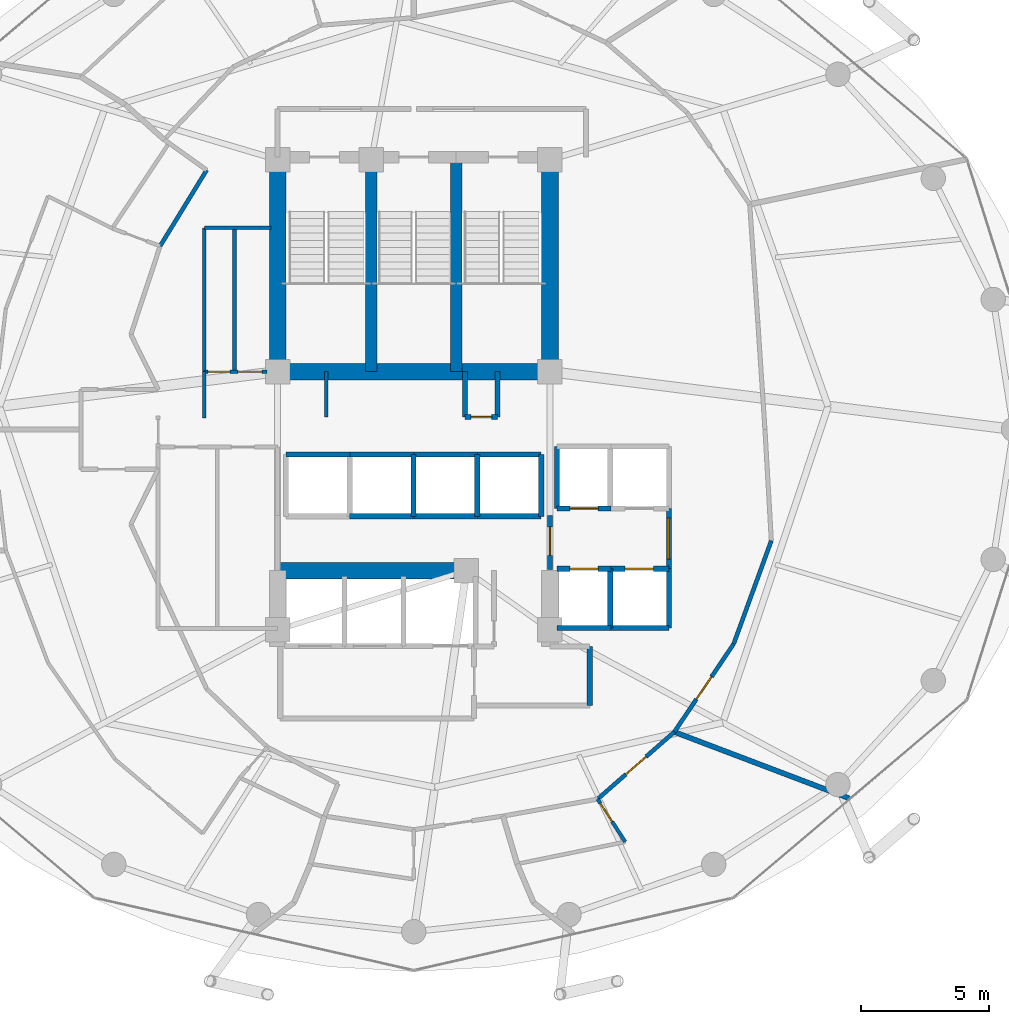
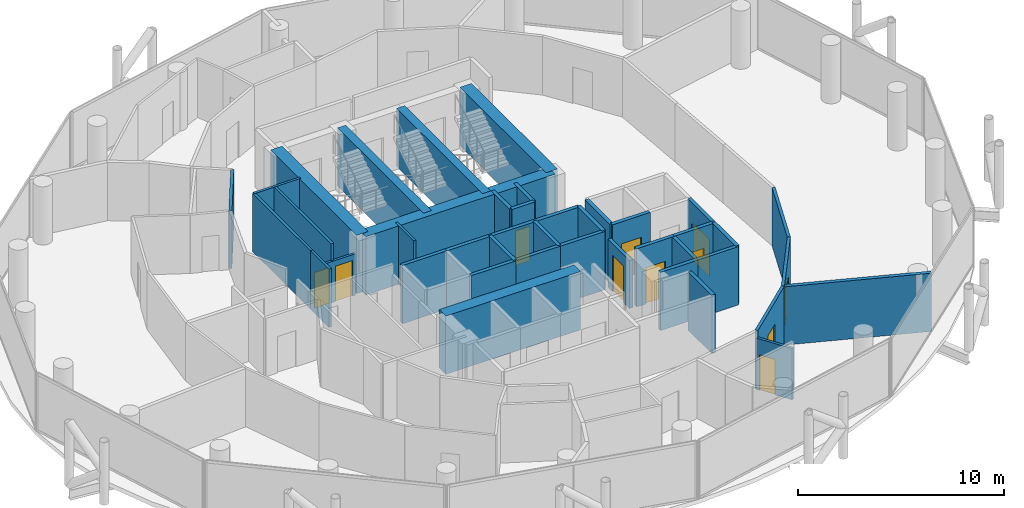
# One storey, part 23 of 26: 42 walls, 11 doors, 11 openings.
"""IFC4 building model written with IfcOpenShell, lengths in metres."""

from ifc_helpers import new_model, si_unit, direction, frame, frame_2d, origin, place, context, subcontext, project, spatial, rectangle, extrude, material, layer, layer_set, type_object, element, fill, save


model = new_model("IFC4")

# Units and contexts
model_context = context("Model", 3, precision=1e-05, world=origin(), true_north=direction((0.0, 1.0)))
body_context = subcontext(model_context, "Body", "Model", "MODEL_VIEW")
ifc_project = project(units=[si_unit("LENGTHUNIT", "METRE"), si_unit("AREAUNIT", "SQUARE_METRE"), si_unit("VOLUMEUNIT", "CUBIC_METRE"), si_unit("PLANEANGLEUNIT", "RADIAN"), si_unit("MASSUNIT", "GRAM", prefix="KILO")], contexts=[model_context])

# Site, building, storey
site_placement = place(None, origin())
site = spatial("IfcSite", under=ifc_project, at=site_placement, CompositionType="ELEMENT")
building_placement = place(site_placement, origin())
building = spatial("IfcBuilding", under=site, at=building_placement, Name="Nuhasar Tower", CompositionType="ELEMENT")
storey_placement = place(building_placement, frame((0.0, 0.0, 144.14990234375)))
storey = spatial("IfcBuildingStorey", under=building, at=storey_placement, Name="L34", CompositionType="ELEMENT", Elevation=144.14990234375)

# Walls
ifc_material_1 = material(Name="Concrete C50/60", Category="concrete")
ifc_layer_1 = layer(ifc_material_1, 0.449951171875)
ifc_layer_set_1 = layer_set([ifc_layer_1], Name="Concrete C50/60")
wall_type_1 = type_object("IfcWallType", Name="WL-CORE-450", PredefinedType="SHEAR", material=ifc_layer_set_1)
for number, where, z_axis, x_axis, name in (
    (1, (37.35009765625, 29.050048828125, 0.0), (0.0, 0.0, 1.0), (0.0, 1.0, 0.0), "L34 Stairwell Shear Wall ST01-E"),
    (2, (40.64990234375, 29.050048828125, 0.0), (0.0, 0.0, 1.0), (0.0, 1.0, 0.0), "L34 Stairwell Shear Wall ST03-E"),
):
    element("IfcWall", number, at=place(storey_placement, frame(where, z_axis=z_axis, x_axis=x_axis)), inside=storey, type_object=wall_type_1, Name=name, PredefinedType="SHEAR", context=body_context, shape_type="SweptSolid", body=[
        extrude(rectangle(XDim=8.349853515625, YDim=0.449951171875, at=frame_2d((4.1748046875, 0.0))), origin(), (0.0, 0.0, 1.0), 3.4501953125),
    ])
ifc_material_2 = material(Name="Concrete C65/80", Category="concrete")
ifc_layer_2 = layer(ifc_material_2, 0.64990234375)
ifc_layer_set_2 = layer_set([ifc_layer_2], Name="Concrete C65/80")
wall_type_2 = type_object("IfcWallType", Name="WL-CORE-650", PredefinedType="SHEAR", material=ifc_layer_set_2)
for number, where, z_axis, x_axis, name in (
    (3, (33.699951171875, 29.050048828125, 0.0), (0.0, 0.0, 1.0), (0.0, 1.0, 0.0), "L34 Core Shear Wall CW-NW CW-650"),
    (4, (44.300048828125, 29.050048828125, 0.0), (0.0, 0.0, 1.0), (0.0, 1.0, 0.0), "L34 Core Shear Wall CW-NE CW-650"),
):
    element("IfcWall", number, at=place(storey_placement, frame(where, z_axis=z_axis, x_axis=x_axis)), inside=storey, type_object=wall_type_2, Name=name, PredefinedType="SHEAR", context=body_context, shape_type="SweptSolid", body=[
        extrude(rectangle(XDim=8.349853515625, YDim=0.64990234375, at=frame_2d((4.1748046875, 0.0))), origin(), (0.0, 0.0, 1.0), 3.4501953125),
    ])
wall_1_placement = place(storey_placement, frame((33.699951171875, 29.050048828125, 0.0), z_axis=(0.0, 0.0, 1.0), x_axis=(1.0, 0.0, 0.0)))
element("IfcWall", 5, at=wall_1_placement, inside=storey, type_object=wall_type_2, Name="L34 Core Shear Wall CW-N1 CW-650", PredefinedType="SHEAR", context=body_context, shape_type="SweptSolid", body=[
    extrude(rectangle(XDim=10.60009765625, YDim=0.64990234375, at=frame_2d((5.300048828125, 0.0))), origin(), (0.0, 0.0, 1.0), 3.4501953125),
])
wall_2_placement = place(storey_placement, frame((33.699951171875, 21.300048828125, 0.0), z_axis=(0.0, 0.0, 1.0), x_axis=(1.0, 0.0, 0.0)))
element("IfcWall", 6, at=wall_2_placement, inside=storey, type_object=wall_type_2, Name="L34 Core Shear Wall CW-S1 CW-650", PredefinedType="SHEAR", context=body_context, shape_type="SweptSolid", body=[
    extrude(rectangle(XDim=7.550048828125, YDim=0.64990234375, at=frame_2d((3.77490234375, 0.0))), origin(), (0.0, 0.0, 1.0), 3.4501953125),
])

# Wall, opening, door
ifc_material_3 = material(Name="Gypsum Board", Category="gypsum")
ifc_layer_3 = layer(ifc_material_3, 0.159912109375)
ifc_layer_set_3 = layer_set([ifc_layer_3], Name="Gypsum Board")
wall_type_3 = type_object("IfcWallType", Name="WL-CORR-160", PredefinedType="PARTITIONING", material=ifc_layer_set_3)
wall_3_placement = place(storey_placement, frame((49.14208984375, 15.02490234375, 0.0), z_axis=(0.0, 0.0, 1.0), x_axis=(-0.75268720087, -0.658378293724, 0.0)))
wall_3 = element("IfcWall", 7, at=wall_3_placement, inside=storey, type_object=wall_type_3, Name="L34 Interior Partition CORR-40", PredefinedType="PARTITIONING", context=body_context, shape_type="SweptSolid", body=[
    extrude(rectangle(XDim=3.968505859375, YDim=0.159912109375, at=frame_2d((1.984375, 0.0))), origin(), (0.0, 0.0, 1.0), 3.4501953125),
])
opening_1_placement = place(wall_3_placement, frame((1.458984375, 0.0, 0.0)))
opening_1 = element("IfcOpeningElement", 8, at=opening_1_placement, cuts=wall_3, Name="Opening DU-01", PredefinedType="OPENING", context=body_context, shape_type="SweptSolid", body=[
    extrude(rectangle(XDim=1.050048828125, YDim=2.14990234375, at=frame_2d((0.52490234375, 1.074951171875))), frame((0.0, 0.08984375, 0.0), z_axis=(0.0, -1.0, 0.0), x_axis=(1.0, 0.0, 0.0)), (0.0, 0.0, 1.0), 0.179931640625),
])
ifc_material_4 = material(Name="Timber Oak", Category="wood")
door_type_1 = type_object("IfcDoorType", Name="DR-SUITE-FD60-1050", OperationType="NOTDEFINED", PredefinedType="DOOR", material=ifc_material_4)
door_1_placement = place(opening_1_placement, origin())
door_1 = element("IfcDoor", 9, at=door_1_placement, inside=storey, type_object=door_type_1, Name="L34 Club Junior Suite 02 Entrance Door", OperationType="SINGLE_SWING_RIGHT", OverallHeight=2.14990234375, OverallWidth=1.050048828125, PredefinedType="DOOR", context=body_context, shape_type="SweptSolid", body=[
    extrude(rectangle(XDim=1.050048828125, YDim=2.14990234375, at=frame_2d((0.52490234375, 1.074951171875))), frame((0.0, 0.02490234375, 0.0), z_axis=(0.0, -1.0, 0.0), x_axis=(1.0, 0.0, 0.0)), (0.0, 0.0, 1.0), 0.050048828125),
])
fill(opening_1, door_1)

wall_4_placement = place(storey_placement, frame((51.452880859375, 18.452880859375, 0.0), z_axis=(0.0, 0.0, 1.0), x_axis=(-0.558958517312, -0.829195619818, 0.0)))
wall_4 = element("IfcWall", 10, at=wall_4_placement, inside=storey, type_object=wall_type_3, Name="L34 Interior Partition CORR-42", PredefinedType="PARTITIONING", context=body_context, shape_type="SweptSolid", body=[
    extrude(rectangle(XDim=4.134033203125, YDim=0.159912109375, at=frame_2d((2.06689453125, 0.0))), origin(), (0.0, 0.0, 1.0), 3.4501953125),
])
opening_2_placement = place(wall_4_placement, frame((1.5419921875, 0.0, 0.0)))
opening_2 = element("IfcOpeningElement", 11, at=opening_2_placement, cuts=wall_4, Name="Opening DU-01", PredefinedType="OPENING", context=body_context, shape_type="SweptSolid", body=[
    extrude(rectangle(XDim=1.050048828125, YDim=2.14990234375, at=frame_2d((0.52490234375, 1.074951171875))), frame((0.0, 0.08984375, 0.0), z_axis=(0.0, -1.0, 0.0), x_axis=(1.0, 0.0, 0.0)), (0.0, 0.0, 1.0), 0.179931640625),
])
door_2_placement = place(opening_2_placement, origin())
door_2 = element("IfcDoor", 12, at=door_2_placement, inside=storey, type_object=door_type_1, Name="L34 Executive Horizon Club Lounge Entrance Door", OperationType="SINGLE_SWING_LEFT", OverallHeight=2.14990234375, OverallWidth=1.050048828125, PredefinedType="DOOR", context=body_context, shape_type="SweptSolid", body=[
    extrude(rectangle(XDim=1.050048828125, YDim=2.14990234375, at=frame_2d((0.52490234375, 1.074951171875))), frame((0.0, 0.02490234375, 0.0), z_axis=(0.0, -1.0, 0.0), x_axis=(1.0, 0.0, 0.0)), (0.0, 0.0, 1.0), 0.050048828125),
])
fill(opening_2, door_2)

# Walls
wall_5_placement = place(storey_placement, frame((51.452880859375, 18.452880859375, 0.0), z_axis=(0.0, 0.0, 1.0), x_axis=(0.342563364573, 0.93949472657, 0.0)))
element("IfcWall", 13, at=wall_5_placement, inside=storey, type_object=wall_type_3, Name="L34 Interior Partition CORR-44", PredefinedType="PARTITIONING", context=body_context, shape_type="SweptSolid", body=[
    extrude(rectangle(XDim=4.27685546875, YDim=0.159912109375, at=frame_2d((2.138427734375, 0.0))), origin(), (0.0, 0.0, 1.0), 3.4501953125),
])
wall_6_placement = place(storey_placement, frame((30.93896484375, 36.89697265625, 0.0), z_axis=(0.0, 0.0, 1.0), x_axis=(-0.522486120877, -0.852647789823, 0.0)))
element("IfcWall", 14, at=wall_6_placement, inside=storey, type_object=wall_type_3, Name="L34 Interior Partition HWEST-CORE-N-18", PredefinedType="PARTITIONING", context=body_context, shape_type="SweptSolid", body=[
    extrude(rectangle(XDim=3.468017578125, YDim=0.159912109375, at=frame_2d((1.73388671875, 0.0))), origin(), (0.0, 0.0, 1.0), 3.4501953125),
])

# Wall, opening, door
ifc_material_5 = material(Name="Concrete C45/55", Category="concrete")
ifc_layer_4 = layer(ifc_material_5, 0.199951171875)
ifc_layer_set_4 = layer_set([ifc_layer_4], Name="Concrete C45/55")
wall_type_4 = type_object("IfcWallType", Name="WL-LOBBY-200", PredefinedType="SOLIDWALL", material=ifc_layer_set_4)
wall_7_placement = place(storey_placement, frame((48.929931640625, 21.3798828125, 0.0), z_axis=(0.0, 0.0, 1.0), x_axis=(0.0, 1.0, 0.0)))
wall_7 = element("IfcWall", 15, at=wall_7_placement, inside=storey, type_object=wall_type_4, Name="L34 Interior Partition LLBM-E", PredefinedType="SOLIDWALL", context=body_context, shape_type="SweptSolid", body=[
    extrude(rectangle(XDim=2.340087890625, YDim=0.199951171875, at=frame_2d((1.169921875, 0.0))), origin(), (0.0, 0.0, 1.0), 3.4501953125),
])
opening_3_placement = place(wall_7_placement, frame((0.3701171875, 0.0, 0.0)))
opening_3 = element("IfcOpeningElement", 16, at=opening_3_placement, cuts=wall_7, Name="Opening DC-01", PredefinedType="OPENING", context=body_context, shape_type="SweptSolid", body=[
    extrude(rectangle(XDim=1.60009765625, YDim=2.199951171875, at=frame_2d((0.800048828125, 1.10009765625))), frame((0.0, 0.10986328125, 0.0), z_axis=(0.0, -1.0, 0.0), x_axis=(1.0, 0.0, 0.0)), (0.0, 0.0, 1.0), 0.219970703125),
])
ifc_material_6 = material(Name="Steel S355", Category="steel")
door_type_2 = type_object("IfcDoorType", Name="DR-CORR-FD60-1600", OperationType="DOUBLE_DOOR_SINGLE_SWING", PredefinedType="DOOR", material=ifc_material_6)
door_3_placement = place(opening_3_placement, origin())
door_3 = element("IfcDoor", 17, at=door_3_placement, inside=storey, type_object=door_type_2, Name="L34 Mid-Rise Lift Lobby East Entry", OperationType="DOUBLE_DOOR_SINGLE_SWING", OverallHeight=2.199951171875, OverallWidth=1.60009765625, PredefinedType="DOOR", context=body_context, shape_type="SweptSolid", body=[
    extrude(rectangle(XDim=1.60009765625, YDim=2.199951171875, at=frame_2d((0.800048828125, 1.10009765625))), frame((0.0, 0.02490234375, 0.0), z_axis=(0.0, -1.0, 0.0), x_axis=(1.0, 0.0, 0.0)), (0.0, 0.0, 1.0), 0.050048828125),
])
fill(opening_3, door_3)

wall_8_placement = place(storey_placement, frame((44.300048828125, 21.35009765625, 0.0), z_axis=(0.0, 0.0, 1.0), x_axis=(0.0, 1.0, 0.0)))
wall_8 = element("IfcWall", 18, at=wall_8_placement, inside=storey, type_object=wall_type_4, Name="L34 Interior Partition LLBH-E", PredefinedType="SOLIDWALL", context=body_context, shape_type="SweptSolid", body=[
    extrude(rectangle(XDim=2.099853515625, YDim=0.199951171875, at=frame_2d((1.0498046875, 0.0))), origin(), (0.0, 0.0, 1.0), 2.835205078125),
])
opening_4_placement = place(wall_8_placement, frame((0.550048828125, 0.0, 0.0)))
opening_4 = element("IfcOpeningElement", 19, at=opening_4_placement, cuts=wall_8, Name="Opening DS-02", PredefinedType="OPENING", context=body_context, shape_type="SweptSolid", body=[
    extrude(rectangle(XDim=1.10009765625, YDim=2.14990234375, at=frame_2d((0.550048828125, 1.074951171875))), frame((0.0, 0.10986328125, 0.0), z_axis=(0.0, -1.0, 0.0), x_axis=(1.0, 0.0, 0.0)), (0.0, 0.0, 1.0), 0.219970703125),
])
door_type_3 = type_object("IfcDoorType", Name="DR-FFL-FD120-1100", OperationType="NOTDEFINED", PredefinedType="DOOR", material=ifc_material_6)
door_4_placement = place(opening_4_placement, origin())
door_4 = element("IfcDoor", 20, at=door_4_placement, inside=storey, type_object=door_type_3, Name="L34 High-Rise Lobby East Door", OperationType="SINGLE_SWING_RIGHT", OverallHeight=2.14990234375, OverallWidth=1.10009765625, PredefinedType="DOOR", context=body_context, shape_type="SweptSolid", body=[
    extrude(rectangle(XDim=1.10009765625, YDim=2.14990234375, at=frame_2d((0.550048828125, 1.074951171875))), frame((0.0, 0.02490234375, 0.0), z_axis=(0.0, -1.0, 0.0), x_axis=(1.0, 0.0, 0.0)), (0.0, 0.0, 1.0), 0.050048828125),
])
fill(opening_4, door_4)

# Walls
wall_9_placement = place(storey_placement, frame((45.85009765625, 16.050048828125, 0.0), z_axis=(0.0, 0.0, 1.0), x_axis=(0.0, 1.0, 0.0)))
element("IfcWall", 21, at=wall_9_placement, inside=storey, type_object=wall_type_4, Name="L34 Interior Partition SVLV-E", PredefinedType="SOLIDWALL", context=body_context, shape_type="SweptSolid", body=[
    extrude(rectangle(XDim=2.300048828125, YDim=0.199951171875, at=frame_2d((1.14990234375, 0.0))), origin(), (0.0, 0.0, 1.0), 3.4501953125),
])
ifc_layer_5 = layer(ifc_material_5, 0.199951171875)
ifc_layer_set_5 = layer_set([ifc_layer_5], Name="Concrete C45/55")
wall_type_5 = type_object("IfcWallType", Name="WL-SHAFT-200", PredefinedType="SOLIDWALL", material=ifc_layer_set_5)
for number, where, z_axis, x_axis, name in (
    (22, (41.0, 27.280029296875, 0.0), (0.0, 0.0, 1.0), (0.0, 1.0, 0.0), "L34 Interior Partition RSRN-W"),
    (23, (42.260009765625, 27.280029296875, 0.0), (0.0, 0.0, 1.0), (0.0, 1.0, 0.0), "L34 Interior Partition RSRN-E"),
):
    element("IfcWall", number, at=place(storey_placement, frame(where, z_axis=z_axis, x_axis=x_axis)), inside=storey, type_object=wall_type_5, Name=name, PredefinedType="SOLIDWALL", context=body_context, shape_type="SweptSolid", body=[
        extrude(rectangle(XDim=1.77001953125, YDim=0.199951171875, at=frame_2d((0.885009765625, 0.0))), origin(), (0.0, 0.0, 1.0), 3.4501953125),
    ])

# Wall, opening, door
wall_10_placement = place(storey_placement, frame((41.0, 27.280029296875, 0.0), z_axis=(0.0, 0.0, 1.0), x_axis=(1.0, 0.0, 0.0)))
wall_10 = element("IfcWall", 24, at=wall_10_placement, inside=storey, type_object=wall_type_5, Name="L34 Interior Partition RSRN-S", PredefinedType="SOLIDWALL", context=body_context, shape_type="SweptSolid", body=[
    extrude(rectangle(XDim=1.260009765625, YDim=0.199951171875, at=frame_2d((0.6298828125, 0.0))), origin(), (0.0, 0.0, 1.0), 3.4501953125),
])
opening_5_placement = place(wall_10_placement, frame((0.22998046875, 0.0, 0.0)))
opening_5 = element("IfcOpeningElement", 25, at=opening_5_placement, cuts=wall_10, Name="Opening DM-01", PredefinedType="OPENING", context=body_context, shape_type="SweptSolid", body=[
    extrude(rectangle(XDim=0.800048828125, YDim=2.050048828125, at=frame_2d((0.39990234375, 1.02490234375))), frame((0.0, 0.10986328125, 0.0), z_axis=(0.0, -1.0, 0.0), x_axis=(1.0, 0.0, 0.0)), (0.0, 0.0, 1.0), 0.219970703125),
])
door_type_4 = type_object("IfcDoorType", Name="DR-RISER-FD60-800", OperationType="NOTDEFINED", PredefinedType="DOOR", material=ifc_material_6)
door_5_placement = place(opening_5_placement, origin())
door_5 = element("IfcDoor", 26, at=door_5_placement, inside=storey, type_object=door_type_4, Name="L34 North Smoke Riser Door", OperationType="SINGLE_SWING_RIGHT", OverallHeight=2.050048828125, OverallWidth=0.800048828125, PredefinedType="DOOR", context=body_context, shape_type="SweptSolid", body=[
    extrude(rectangle(XDim=0.800048828125, YDim=2.050048828125, at=frame_2d((0.39990234375, 1.02490234375))), frame((0.0, 0.02490234375, 0.0), z_axis=(0.0, -1.0, 0.0), x_axis=(1.0, 0.0, 0.0)), (0.0, 0.0, 1.0), 0.050048828125),
])
fill(opening_5, door_5)

wall_11_placement = place(storey_placement, frame((44.570068359375, 23.719970703125, 0.0), z_axis=(0.0, 0.0, 1.0), x_axis=(1.0, 0.0, 0.0)))
wall_11 = element("IfcWall", 27, at=wall_11_placement, inside=storey, type_object=wall_type_5, Name="L34 Interior Partition SHF-PL-M01-S", PredefinedType="SOLIDWALL", context=body_context, shape_type="SweptSolid", body=[
    extrude(rectangle(XDim=2.10986328125, YDim=0.199951171875, at=frame_2d((1.054931640625, 0.0))), origin(), (0.0, 0.0, 1.0), 3.4501953125),
])
opening_6_placement = place(wall_11_placement, frame((0.5048828125, 0.0, 0.0)))
opening_6 = element("IfcOpeningElement", 28, at=opening_6_placement, cuts=wall_11, Name="Opening LD-M01", PredefinedType="OPENING", context=body_context, shape_type="SweptSolid", body=[
    extrude(rectangle(XDim=1.10009765625, YDim=2.14990234375, at=frame_2d((0.550048828125, 1.074951171875))), frame((0.0, 0.10986328125, 0.0), z_axis=(0.0, -1.0, 0.0), x_axis=(1.0, 0.0, 0.0)), (0.0, 0.0, 1.0), 0.219970703125),
])
ifc_material_7 = material(Name="Stainless Steel 316L", Category="steel")
door_type_5 = type_object("IfcDoorType", Name="LD-PAX-1100", OperationType="DOUBLE_DOOR_SLIDING", PredefinedType="DOOR", material=ifc_material_7)
door_6_placement = place(opening_6_placement, origin())
door_6 = element("IfcDoor", 29, at=door_6_placement, inside=storey, type_object=door_type_5, Name="L34 Lift Landing Door PL-M01", OperationType="DOUBLE_DOOR_SLIDING", OverallHeight=2.14990234375, OverallWidth=1.10009765625, PredefinedType="DOOR", context=body_context, shape_type="SweptSolid", body=[
    extrude(rectangle(XDim=1.10009765625, YDim=2.14990234375, at=frame_2d((0.550048828125, 1.074951171875))), frame((0.0, 0.02490234375, 0.0), z_axis=(0.0, -1.0, 0.0), x_axis=(1.0, 0.0, 0.0)), (0.0, 0.0, 1.0), 0.050048828125),
])
fill(opening_6, door_6)

# Walls
wall_12_placement = place(storey_placement, frame((44.570068359375, 23.719970703125, 0.0), z_axis=(0.0, 0.0, 1.0), x_axis=(0.0, 1.0, 0.0)))
element("IfcWall", 30, at=wall_12_placement, inside=storey, type_object=wall_type_5, Name="L34 Interior Partition SHF-PL-M01-W", PredefinedType="SOLIDWALL", context=body_context, shape_type="SweptSolid", body=[
    extrude(rectangle(XDim=2.409912109375, YDim=0.199951171875, at=frame_2d((1.205078125, 0.0))), origin(), (0.0, 0.0, 1.0), 3.4501953125),
])
wall_13_placement = place(storey_placement, frame((44.570068359375, 19.070068359375, 0.0), z_axis=(0.0, 0.0, 1.0), x_axis=(1.0, 0.0, 0.0)))
element("IfcWall", 31, at=wall_13_placement, inside=storey, type_object=wall_type_5, Name="L34 Interior Partition SHF-PL-M03-S", PredefinedType="SOLIDWALL", context=body_context, shape_type="SweptSolid", body=[
    extrude(rectangle(XDim=2.10986328125, YDim=0.199951171875, at=frame_2d((1.054931640625, 0.0))), origin(), (0.0, 0.0, 1.0), 3.4501953125),
])

# Wall, opening, door
wall_14_placement = place(storey_placement, frame((44.570068359375, 21.3798828125, 0.0), z_axis=(0.0, 0.0, 1.0), x_axis=(1.0, 0.0, 0.0)))
wall_14 = element("IfcWall", 32, at=wall_14_placement, inside=storey, type_object=wall_type_5, Name="L34 Interior Partition SHF-PL-M03-N", PredefinedType="SOLIDWALL", context=body_context, shape_type="SweptSolid", body=[
    extrude(rectangle(XDim=2.10986328125, YDim=0.199951171875, at=frame_2d((1.054931640625, 0.0))), origin(), (0.0, 0.0, 1.0), 3.4501953125),
])
opening_7_placement = place(wall_14_placement, frame((0.5048828125, 0.0, 0.0)))
opening_7 = element("IfcOpeningElement", 33, at=opening_7_placement, cuts=wall_14, Name="Opening LD-M03", PredefinedType="OPENING", context=body_context, shape_type="SweptSolid", body=[
    extrude(rectangle(XDim=1.10009765625, YDim=2.14990234375, at=frame_2d((0.550048828125, 1.074951171875))), frame((0.0, 0.10986328125, 0.0), z_axis=(0.0, -1.0, 0.0), x_axis=(1.0, 0.0, 0.0)), (0.0, 0.0, 1.0), 0.219970703125),
])
door_7_placement = place(opening_7_placement, origin())
door_7 = element("IfcDoor", 34, at=door_7_placement, inside=storey, type_object=door_type_5, Name="L34 Lift Landing Door PL-M03", OperationType="DOUBLE_DOOR_SLIDING", OverallHeight=2.14990234375, OverallWidth=1.10009765625, PredefinedType="DOOR", context=body_context, shape_type="SweptSolid", body=[
    extrude(rectangle(XDim=1.10009765625, YDim=2.14990234375, at=frame_2d((0.550048828125, 1.074951171875))), frame((0.0, 0.02490234375, 0.0), z_axis=(0.0, -1.0, 0.0), x_axis=(1.0, 0.0, 0.0)), (0.0, 0.0, 1.0), 0.050048828125),
])
fill(opening_7, door_7)

# Walls
for number, where, z_axis, x_axis, name in (
    (35, (46.64990234375, 19.070068359375, 0.0), (0.0, 0.0, 1.0), (0.0, 1.0, 0.0), "L34 Interior Partition SHF-PL-M03-E"),
    (36, (46.6201171875, 19.070068359375, 0.0), (0.0, 0.0, 1.0), (1.0, 0.0, 0.0), "L34 Interior Partition SHF-PL-M04-S"),
):
    element("IfcWall", number, at=place(storey_placement, frame(where, z_axis=z_axis, x_axis=x_axis)), inside=storey, type_object=wall_type_5, Name=name, PredefinedType="SOLIDWALL", context=body_context, shape_type="SweptSolid", body=[
        extrude(rectangle(XDim=2.309814453125, YDim=0.199951171875, at=frame_2d((1.15478515625, 0.0))), origin(), (0.0, 0.0, 1.0), 3.4501953125),
    ])

# Wall, opening, door
wall_15_placement = place(storey_placement, frame((46.6201171875, 21.3798828125, 0.0), z_axis=(0.0, 0.0, 1.0), x_axis=(1.0, 0.0, 0.0)))
wall_15 = element("IfcWall", 37, at=wall_15_placement, inside=storey, type_object=wall_type_5, Name="L34 Interior Partition SHF-PL-M04-N", PredefinedType="SOLIDWALL", context=body_context, shape_type="SweptSolid", body=[
    extrude(rectangle(XDim=2.309814453125, YDim=0.199951171875, at=frame_2d((1.15478515625, 0.0))), origin(), (0.0, 0.0, 1.0), 3.4501953125),
])
opening_8_placement = place(wall_15_placement, frame((0.60498046875, 0.0, 0.0)))
opening_8 = element("IfcOpeningElement", 38, at=opening_8_placement, cuts=wall_15, Name="Opening LD-M04", PredefinedType="OPENING", context=body_context, shape_type="SweptSolid", body=[
    extrude(rectangle(XDim=1.10009765625, YDim=2.14990234375, at=frame_2d((0.550048828125, 1.074951171875))), frame((0.0, 0.10986328125, 0.0), z_axis=(0.0, -1.0, 0.0), x_axis=(1.0, 0.0, 0.0)), (0.0, 0.0, 1.0), 0.219970703125),
])
door_8_placement = place(opening_8_placement, origin())
door_8 = element("IfcDoor", 39, at=door_8_placement, inside=storey, type_object=door_type_5, Name="L34 Lift Landing Door PL-M04", OperationType="DOUBLE_DOOR_SLIDING", OverallHeight=2.14990234375, OverallWidth=1.10009765625, PredefinedType="DOOR", context=body_context, shape_type="SweptSolid", body=[
    extrude(rectangle(XDim=1.10009765625, YDim=2.14990234375, at=frame_2d((0.550048828125, 1.074951171875))), frame((0.0, 0.02490234375, 0.0), z_axis=(0.0, -1.0, 0.0), x_axis=(1.0, 0.0, 0.0)), (0.0, 0.0, 1.0), 0.050048828125),
])
fill(opening_8, door_8)

# Walls
wall_16_placement = place(storey_placement, frame((48.929931640625, 19.070068359375, 0.0), z_axis=(0.0, 0.0, 1.0), x_axis=(0.0, 1.0, 0.0)))
element("IfcWall", 40, at=wall_16_placement, inside=storey, type_object=wall_type_5, Name="L34 Interior Partition SHF-PL-M04-E", PredefinedType="SOLIDWALL", context=body_context, shape_type="SweptSolid", body=[
    extrude(rectangle(XDim=2.309814453125, YDim=0.199951171875, at=frame_2d((1.15478515625, 0.0))), origin(), (0.0, 0.0, 1.0), 3.4501953125),
])
for number, where, z_axis, x_axis, name in (
    (41, (34.02001953125, 25.830078125, 0.0), (0.0, 0.0, 1.0), (1.0, 0.0, 0.0), "L34 Interior Partition SHF-PL-H01-N"),
    (42, (36.5, 23.419921875, 0.0), (0.0, 0.0, 1.0), (1.0, 0.0, 0.0), "L34 Interior Partition SHF-PL-H02-S"),
    (43, (36.5, 25.830078125, 0.0), (0.0, 0.0, 1.0), (1.0, 0.0, 0.0), "L34 Interior Partition SHF-PL-H02-N"),
):
    element("IfcWall", number, at=place(storey_placement, frame(where, z_axis=z_axis, x_axis=x_axis)), inside=storey, type_object=wall_type_5, Name=name, PredefinedType="SOLIDWALL", context=body_context, shape_type="SweptSolid", body=[
        extrude(rectangle(XDim=2.5, YDim=0.199951171875, at=frame_2d((1.25, 0.0))), origin(), (0.0, 0.0, 1.0), 3.4501953125),
    ])
wall_17_placement = place(storey_placement, frame((38.989990234375, 23.419921875, 0.0), z_axis=(0.0, 0.0, 1.0), x_axis=(0.0, 1.0, 0.0)))
element("IfcWall", 44, at=wall_17_placement, inside=storey, type_object=wall_type_5, Name="L34 Interior Partition SHF-PL-H02-E", PredefinedType="SOLIDWALL", context=body_context, shape_type="SweptSolid", body=[
    extrude(rectangle(XDim=2.41015625, YDim=0.199951171875, at=frame_2d((1.205078125, 0.0))), origin(), (0.0, 0.0, 1.0), 3.4501953125),
])
for number, where, z_axis, x_axis, name in (
    (45, (38.97998046875, 23.419921875, 0.0), (0.0, 0.0, 1.0), (1.0, 0.0, 0.0), "L34 Interior Partition SHF-PL-H03-S"),
    (46, (38.97998046875, 25.830078125, 0.0), (0.0, 0.0, 1.0), (1.0, 0.0, 0.0), "L34 Interior Partition SHF-PL-H03-N"),
):
    element("IfcWall", number, at=place(storey_placement, frame(where, z_axis=z_axis, x_axis=x_axis)), inside=storey, type_object=wall_type_5, Name=name, PredefinedType="SOLIDWALL", context=body_context, shape_type="SweptSolid", body=[
        extrude(rectangle(XDim=2.5, YDim=0.199951171875, at=frame_2d((1.25, 0.0))), origin(), (0.0, 0.0, 1.0), 3.4501953125),
    ])
wall_18_placement = place(storey_placement, frame((41.469970703125, 23.419921875, 0.0), z_axis=(0.0, 0.0, 1.0), x_axis=(0.0, 1.0, 0.0)))
element("IfcWall", 47, at=wall_18_placement, inside=storey, type_object=wall_type_5, Name="L34 Interior Partition SHF-PL-H03-E", PredefinedType="SOLIDWALL", context=body_context, shape_type="SweptSolid", body=[
    extrude(rectangle(XDim=2.41015625, YDim=0.199951171875, at=frame_2d((1.205078125, 0.0))), origin(), (0.0, 0.0, 1.0), 3.4501953125),
])
for number, where, z_axis, x_axis, name in (
    (48, (41.4599609375, 23.419921875, 0.0), (0.0, 0.0, 1.0), (1.0, 0.0, 0.0), "L34 Interior Partition SHF-PL-H04-S"),
    (49, (41.4599609375, 25.830078125, 0.0), (0.0, 0.0, 1.0), (1.0, 0.0, 0.0), "L34 Interior Partition SHF-PL-H04-N"),
):
    element("IfcWall", number, at=place(storey_placement, frame(where, z_axis=z_axis, x_axis=x_axis)), inside=storey, type_object=wall_type_5, Name=name, PredefinedType="SOLIDWALL", context=body_context, shape_type="SweptSolid", body=[
        extrude(rectangle(XDim=2.5, YDim=0.199951171875, at=frame_2d((1.25, 0.0))), origin(), (0.0, 0.0, 1.0), 3.4501953125),
    ])
wall_19_placement = place(storey_placement, frame((43.9599609375, 23.419921875, 0.0), z_axis=(0.0, 0.0, 1.0), x_axis=(0.0, 1.0, 0.0)))
element("IfcWall", 50, at=wall_19_placement, inside=storey, type_object=wall_type_5, Name="L34 Interior Partition SHF-PL-H04-E", PredefinedType="SOLIDWALL", context=body_context, shape_type="SweptSolid", body=[
    extrude(rectangle(XDim=2.41015625, YDim=0.199951171875, at=frame_2d((1.205078125, 0.0))), origin(), (0.0, 0.0, 1.0), 3.4501953125),
])
ifc_material_8 = material(Name="Concrete C40/50 precast", Category="concrete")
ifc_layer_6 = layer(ifc_material_8, 0.199951171875)
ifc_layer_set_6 = layer_set([ifc_layer_6], Name="Concrete C40/50 precast")
wall_type_6 = type_object("IfcWallType", Name="WL-UNIT-200", PredefinedType="PARTITIONING", material=ifc_layer_set_6)
wall_20_placement = place(storey_placement, frame((49.14208984375, 15.02490234375, 0.0), z_axis=(0.0, 0.0, 1.0), x_axis=(0.934936992943, -0.354813781055, 0.0)))
element("IfcWall", 51, at=wall_20_placement, inside=storey, type_object=wall_type_6, Name="L34 Interior Partition HRAD-42", PredefinedType="PARTITIONING", context=body_context, shape_type="SweptSolid", body=[
    extrude(rectangle(XDim=7.2880859375, YDim=0.199951171875, at=frame_2d((3.64404296875, 0.0))), origin(), (0.0, 0.0, 1.0), 3.4501953125),
])
ifc_layer_7 = layer(ifc_material_8, 0.139892578125)
ifc_layer_set_7 = layer_set([ifc_layer_7], Name="Concrete C40/50 precast")
wall_type_7 = type_object("IfcWallType", Name="WL-WET-140", PredefinedType="PARTITIONING", material=ifc_layer_set_7)
wall_21_placement = place(storey_placement, frame((35.60009765625, 27.280029296875, 0.0), z_axis=(0.0, 0.0, 1.0), x_axis=(0.0, 1.0, 0.0)))
element("IfcWall", 52, at=wall_21_placement, inside=storey, type_object=wall_type_7, Name="L34 Interior Partition CSVC-W", PredefinedType="PARTITIONING", context=body_context, shape_type="SweptSolid", body=[
    extrude(rectangle(XDim=1.77001953125, YDim=0.139892578125, at=frame_2d((0.885009765625, 0.0))), origin(), (0.0, 0.0, 1.0), 3.4501953125),
])
wall_22_placement = place(storey_placement, frame((30.85009765625, 27.239990234375, 0.0), z_axis=(0.0, 0.0, 1.0), x_axis=(0.0, 1.0, 0.0)))
element("IfcWall", 53, at=wall_22_placement, inside=storey, type_object=wall_type_7, Name="L34 Interior Partition K2-FOY-W", PredefinedType="PARTITIONING", context=body_context, shape_type="SweptSolid", body=[
    extrude(rectangle(XDim=1.81005859375, YDim=0.139892578125, at=frame_2d((0.905029296875, 0.0))), origin(), (0.0, 0.0, 1.0), 3.4501953125),
])

# Wall, openings, doors
wall_23_placement = place(storey_placement, frame((30.85009765625, 29.050048828125, 0.0), z_axis=(0.0, 0.0, 1.0), x_axis=(1.0, 0.0, 0.0)))
wall_23 = element("IfcWall", 54, at=wall_23_placement, inside=storey, type_object=wall_type_7, Name="L34 Interior Partition K2-NW-S", PredefinedType="PARTITIONING", context=body_context, shape_type="SweptSolid", body=[
    extrude(rectangle(XDim=2.429931640625, YDim=0.139892578125, at=frame_2d((1.21484375, 0.0))), origin(), (0.0, 0.0, 1.0), 2.440185546875),
])
opening_9_placement = place(wall_23_placement, frame((0.139892578125, 0.0, 0.0)))
opening_9 = element("IfcOpeningElement", 55, at=opening_9_placement, cuts=wall_23, Name="Opening DB-01", PredefinedType="OPENING", context=body_context, shape_type="SweptSolid", body=[
    extrude(rectangle(XDim=0.85009765625, YDim=2.10009765625, at=frame_2d((0.425048828125, 1.050048828125))), frame((0.0, 0.080078125, 0.0), z_axis=(0.0, -1.0, 0.0), x_axis=(1.0, 0.0, 0.0)), (0.0, 0.0, 1.0), 0.159912109375),
])
opening_10_placement = place(wall_23_placement, frame((1.300048828125, 0.0, 0.0)))
opening_10 = element("IfcOpeningElement", 56, at=opening_10_placement, cuts=wall_23, Name="Opening DA-01", PredefinedType="OPENING", context=body_context, shape_type="SweptSolid", body=[
    extrude(rectangle(XDim=0.949951171875, YDim=2.10009765625, at=frame_2d((0.47509765625, 1.050048828125))), frame((0.0, 0.080078125, 0.0), z_axis=(0.0, -1.0, 0.0), x_axis=(1.0, 0.0, 0.0)), (0.0, 0.0, 1.0), 0.159912109375),
])
door_type_6 = type_object("IfcDoorType", Name="DR-ACCWC-950", OperationType="NOTDEFINED", PredefinedType="DOOR", material=ifc_material_4)
door_9_placement = place(opening_10_placement, origin())
door_9 = element("IfcDoor", 57, at=door_9_placement, inside=storey, type_object=door_type_6, Name="L34 NW Accessible WC Door", OperationType="SINGLE_SWING_RIGHT", OverallHeight=2.10009765625, OverallWidth=0.949951171875, PredefinedType="DOOR", context=body_context, shape_type="SweptSolid", body=[
    extrude(rectangle(XDim=0.949951171875, YDim=2.10009765625, at=frame_2d((0.47509765625, 1.050048828125))), frame((0.0, 0.02490234375, 0.0), z_axis=(0.0, -1.0, 0.0), x_axis=(1.0, 0.0, 0.0)), (0.0, 0.0, 1.0), 0.050048828125),
])
fill(opening_10, door_9)
door_type_7 = type_object("IfcDoorType", Name="DR-BATH-850", OperationType="NOTDEFINED", PredefinedType="DOOR", material=ifc_material_4)
door_10_placement = place(opening_9_placement, origin())
door_10 = element("IfcDoor", 58, at=door_10_placement, inside=storey, type_object=door_type_7, Name="L34 NW Female WC Door", OperationType="SINGLE_SWING_LEFT", OverallHeight=2.10009765625, OverallWidth=0.85009765625, PredefinedType="DOOR", context=body_context, shape_type="SweptSolid", body=[
    extrude(rectangle(XDim=0.85009765625, YDim=2.10009765625, at=frame_2d((0.425048828125, 1.050048828125))), frame((0.0, 0.02490234375, 0.0), z_axis=(0.0, -1.0, 0.0), x_axis=(1.0, 0.0, 0.0)), (0.0, 0.0, 1.0), 0.050048828125),
])
fill(opening_9, door_10)

# Walls
wall_24_placement = place(storey_placement, frame((32.02001953125, 29.050048828125, 0.0), z_axis=(0.0, 0.0, 1.0), x_axis=(0.0, 1.0, 0.0)))
element("IfcWall", 59, at=wall_24_placement, inside=storey, type_object=wall_type_7, Name="L34 Interior Partition K2-NW-V", PredefinedType="PARTITIONING", context=body_context, shape_type="SweptSolid", body=[
    extrude(rectangle(XDim=5.599853515625, YDim=0.139892578125, at=frame_2d((2.7998046875, 0.0))), origin(), (0.0, 0.0, 1.0), 3.4501953125),
])
wall_25_placement = place(storey_placement, frame((30.85009765625, 34.64990234375, 0.0), z_axis=(0.0, 0.0, 1.0), x_axis=(1.0, 0.0, 0.0)))
element("IfcWall", 60, at=wall_25_placement, inside=storey, type_object=wall_type_7, Name="L34 Interior Partition K2-NW-N", PredefinedType="PARTITIONING", context=body_context, shape_type="SweptSolid", body=[
    extrude(rectangle(XDim=2.599853515625, YDim=0.139892578125, at=frame_2d((1.2998046875, 0.0))), origin(), (0.0, 0.0, 1.0), 3.4501953125),
])
wall_26_placement = place(storey_placement, frame((30.85009765625, 29.050048828125, 0.0), z_axis=(0.0, 0.0, 1.0), x_axis=(0.0, 1.0, 0.0)))
element("IfcWall", 61, at=wall_26_placement, inside=storey, type_object=wall_type_7, Name="L34 Interior Partition K2-NW-W", PredefinedType="PARTITIONING", context=body_context, shape_type="SweptSolid", body=[
    extrude(rectangle(XDim=5.599853515625, YDim=0.139892578125, at=frame_2d((2.7998046875, 0.0))), origin(), (0.0, 0.0, 1.0), 3.4501953125),
])

# Wall, opening, door
wall_27_placement = place(storey_placement, frame((46.155029296875, 12.412109375, 0.0), z_axis=(0.0, 0.0, 1.0), x_axis=(0.542510953231, -0.840048728125, 0.0)))
wall_27 = element("IfcWall", 62, at=wall_27_placement, inside=storey, type_object=wall_type_7, Name="L34 Interior Partition HBW-02", PredefinedType="PARTITIONING", context=body_context, shape_type="SweptSolid", body=[
    extrude(rectangle(XDim=1.983154296875, YDim=0.139892578125, at=frame_2d((0.99169921875, 0.0))), origin(), (0.0, 0.0, 1.0), 3.0400390625),
])
opening_11_placement = place(wall_27_placement, frame((0.199951171875, 0.0, 0.0)))
opening_11 = element("IfcOpeningElement", 63, at=opening_11_placement, cuts=wall_27, Name="Opening DB-01", PredefinedType="OPENING", context=body_context, shape_type="SweptSolid", body=[
    extrude(rectangle(XDim=0.85009765625, YDim=2.10009765625, at=frame_2d((0.425048828125, 1.050048828125))), frame((0.0, 0.080078125, 0.0), z_axis=(0.0, -1.0, 0.0), x_axis=(1.0, 0.0, 0.0)), (0.0, 0.0, 1.0), 0.159912109375),
])
door_11_placement = place(opening_11_placement, origin())
door_11 = element("IfcDoor", 64, at=door_11_placement, inside=storey, type_object=door_type_7, Name="L34 Club Junior Suite 02 En-Suite Door", OperationType="SINGLE_SWING_LEFT", OverallHeight=2.10009765625, OverallWidth=0.85009765625, PredefinedType="DOOR", context=body_context, shape_type="SweptSolid", body=[
    extrude(rectangle(XDim=0.85009765625, YDim=2.10009765625, at=frame_2d((0.425048828125, 1.050048828125))), frame((0.0, 0.02490234375, 0.0), z_axis=(0.0, -1.0, 0.0), x_axis=(1.0, 0.0, 0.0)), (0.0, 0.0, 1.0), 0.050048828125),
])
fill(opening_11, door_11)

save(model, "model.ifc")
